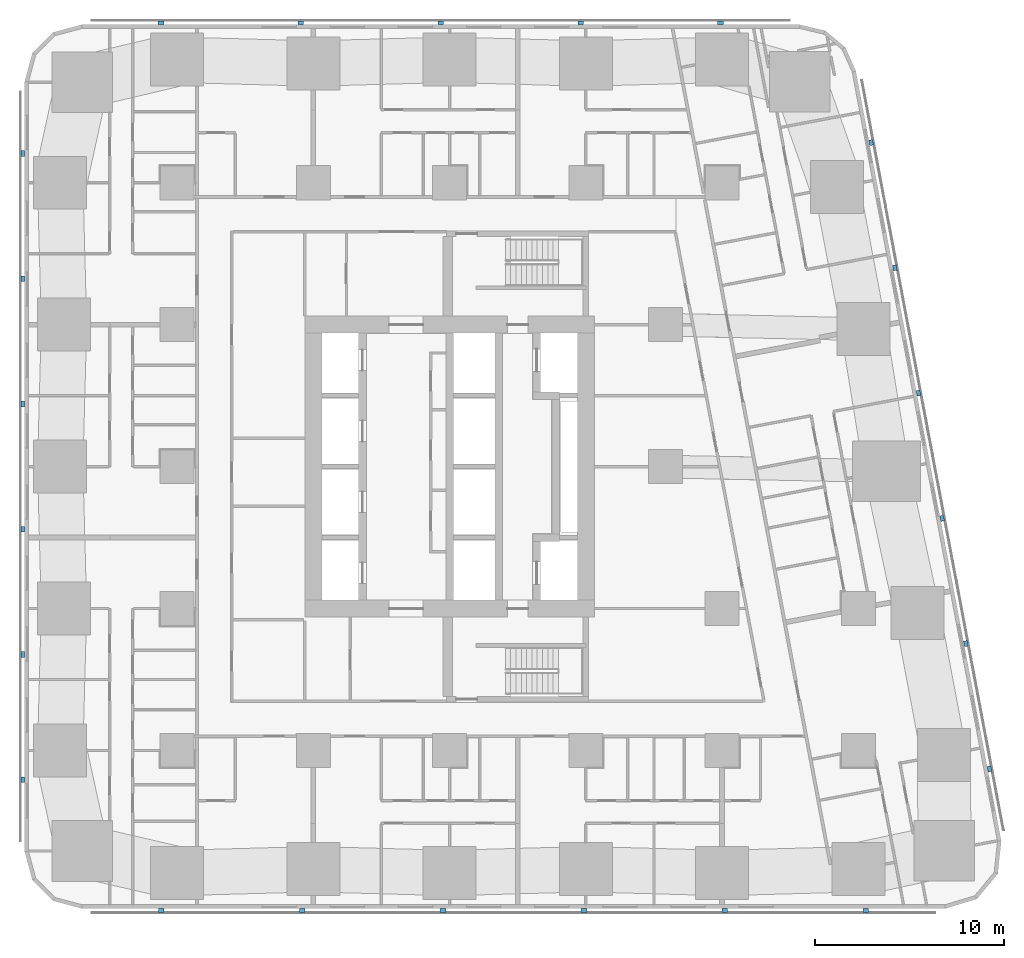
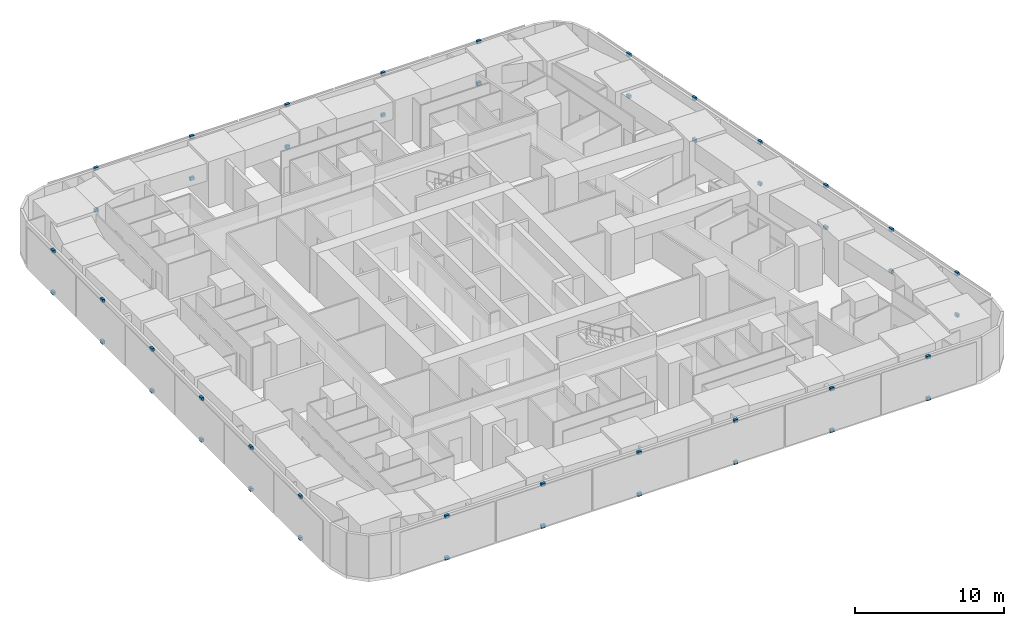
# One storey, part 14 of 18: 46 discrete accessories.
"""IFC4 building model written with IfcOpenShell, lengths in metres."""

from ifc_helpers import new_model, si_unit, direction, frame, origin, origin_2d, place, context, subcontext, project, spatial, rectangle, extrude, material, type_object, element, save


model = new_model("IFC4")

# Units and contexts
model_context = context("Model", 3, precision=1e-05, world=origin(), true_north=direction((0.0, 1.0)))
body_context = subcontext(model_context, "Body", "Model", "MODEL_VIEW")
ifc_project = project(units=[si_unit("LENGTHUNIT", "METRE"), si_unit("AREAUNIT", "SQUARE_METRE"), si_unit("VOLUMEUNIT", "CUBIC_METRE"), si_unit("PLANEANGLEUNIT", "RADIAN"), si_unit("MASSUNIT", "GRAM", prefix="KILO")], contexts=[model_context])

# Site, building, storey
site_placement = place(None, origin())
site = spatial("IfcSite", under=ifc_project, at=site_placement, CompositionType="ELEMENT")
building_placement = place(site_placement, origin())
building = spatial("IfcBuilding", under=site, at=building_placement, Name="Sheger Commons Tower", CompositionType="ELEMENT")
storey_placement = place(building_placement, frame((0.0, 0.0, 38.75)))
storey = spatial("IfcBuildingStorey", under=building, at=storey_placement, Name="L09", CompositionType="ELEMENT", Elevation=38.75)

# Discrete accessories
ifc_material = material(Name="Black painted steel bracket", Category="steel")
discrete_accessory_type = type_object("IfcDiscreteAccessoryType", Name="SCREEN BRACKET 300x200x250", PredefinedType="BRACKET", material=ifc_material)
for number, where, z_axis, x_axis, name in (
    (1, (6.37109375, -0.949951171875, -0.10009765625), (0.0, 0.0, 1.0), (1.0, 0.0, 0.0), "Solar screen foot bracket"),
    (2, (6.37109375, -0.949951171875, 3.300048828125), (0.0, 0.0, 1.0), (1.0, 0.0, 0.0), "Solar screen head bracket"),
    (3, (13.81396484375, -0.949951171875, -0.10009765625), (0.0, 0.0, 1.0), (1.0, 0.0, 0.0), "Solar screen foot bracket"),
    (4, (13.81396484375, -0.949951171875, 3.300048828125), (0.0, 0.0, 1.0), (1.0, 0.0, 0.0), "Solar screen head bracket"),
    (5, (21.257080078125, -0.949951171875, -0.10009765625), (0.0, 0.0, 1.0), (1.0, 0.0, 0.0), "Solar screen foot bracket"),
    (6, (21.257080078125, -0.949951171875, 3.300048828125), (0.0, 0.0, 1.0), (1.0, 0.0, 0.0), "Solar screen head bracket"),
    (7, (28.698974609375, -0.949951171875, -0.10009765625), (0.0, 0.0, 1.0), (1.0, 0.0, 0.0), "Solar screen foot bracket"),
    (8, (28.698974609375, -0.949951171875, 3.300048828125), (0.0, 0.0, 1.0), (1.0, 0.0, 0.0), "Solar screen head bracket"),
    (9, (36.14208984375, -0.949951171875, -0.10009765625), (0.0, 0.0, 1.0), (1.0, 0.0, 0.0), "Solar screen foot bracket"),
    (10, (36.14208984375, -0.949951171875, 3.300048828125), (0.0, 0.0, 1.0), (1.0, 0.0, 0.0), "Solar screen head bracket"),
    (11, (43.5849609375, -0.949951171875, -0.10009765625), (0.0, 0.0, 1.0), (1.0, 0.0, 0.0), "Solar screen foot bracket"),
    (12, (43.5849609375, -0.949951171875, 3.300048828125), (0.0, 0.0, 1.0), (1.0, 0.0, 0.0), "Solar screen head bracket"),
    (13, (50.134033203125, 6.527099609375, -0.10009765625), (0.0, 0.0, 1.0), (-0.185615165645, 0.982622516678, 0.0), "Solar screen foot bracket"),
    (14, (50.134033203125, 6.527099609375, 3.300048828125), (0.0, 0.0, 1.0), (-0.185615165645, 0.982622516678, 0.0), "Solar screen head bracket"),
    (15, (48.884033203125, 13.14599609375, -0.10009765625), (0.0, 0.0, 1.0), (-0.185615165645, 0.982622516678, 0.0), "Solar screen foot bracket"),
    (16, (48.884033203125, 13.14599609375, 3.300048828125), (0.0, 0.0, 1.0), (-0.185615165645, 0.982622516678, 0.0), "Solar screen head bracket"),
    (17, (47.633056640625, 19.76611328125, -0.10009765625), (0.0, 0.0, 1.0), (-0.185615165645, 0.982622516678, 0.0), "Solar screen foot bracket"),
    (18, (47.633056640625, 19.76611328125, 3.300048828125), (0.0, 0.0, 1.0), (-0.185615165645, 0.982622516678, 0.0), "Solar screen head bracket"),
    (19, (46.383056640625, 26.385009765625, -0.10009765625), (0.0, 0.0, 1.0), (-0.185615165645, 0.982622516678, 0.0), "Solar screen foot bracket"),
    (20, (46.383056640625, 26.385009765625, 3.300048828125), (0.0, 0.0, 1.0), (-0.185615165645, 0.982622516678, 0.0), "Solar screen head bracket"),
    (21, (45.133056640625, 33.0048828125, -0.10009765625), (0.0, 0.0, 1.0), (-0.185615165645, 0.982622516678, 0.0), "Solar screen foot bracket"),
    (22, (45.133056640625, 33.0048828125, 3.300048828125), (0.0, 0.0, 1.0), (-0.185615165645, 0.982622516678, 0.0), "Solar screen head bracket"),
    (23, (43.882080078125, 39.6240234375, -0.10009765625), (0.0, 0.0, 1.0), (-0.185615165645, 0.982622516678, 0.0), "Solar screen foot bracket"),
    (24, (43.882080078125, 39.6240234375, 3.300048828125), (0.0, 0.0, 1.0), (-0.185615165645, 0.982622516678, 0.0), "Solar screen head bracket"),
    (25, (35.9208984375, 45.949951171875, -0.10009765625), (0.0, 0.0, 1.0), (-1.0, 0.0, 0.0), "Solar screen foot bracket"),
    (26, (35.9208984375, 45.949951171875, 3.300048828125), (0.0, 0.0, 1.0), (-1.0, 0.0, 0.0), "Solar screen head bracket"),
    (27, (28.528076171875, 45.949951171875, -0.10009765625), (0.0, 0.0, 1.0), (-1.0, 0.0, 0.0), "Solar screen foot bracket"),
    (28, (28.528076171875, 45.949951171875, 3.300048828125), (0.0, 0.0, 1.0), (-1.0, 0.0, 0.0), "Solar screen head bracket"),
    (29, (21.134033203125, 45.949951171875, -0.10009765625), (0.0, 0.0, 1.0), (-1.0, 0.0, 0.0), "Solar screen foot bracket"),
    (30, (21.134033203125, 45.949951171875, 3.300048828125), (0.0, 0.0, 1.0), (-1.0, 0.0, 0.0), "Solar screen head bracket"),
    (31, (13.739990234375, 45.949951171875, -0.10009765625), (0.0, 0.0, 1.0), (-1.0, 0.0, 0.0), "Solar screen foot bracket"),
    (32, (13.739990234375, 45.949951171875, 3.300048828125), (0.0, 0.0, 1.0), (-1.0, 0.0, 0.0), "Solar screen head bracket"),
    (33, (6.346923828125, 45.949951171875, -0.10009765625), (0.0, 0.0, 1.0), (-1.0, 0.0, 0.0), "Solar screen foot bracket"),
    (34, (6.346923828125, 45.949951171875, 3.300048828125), (0.0, 0.0, 1.0), (-1.0, 0.0, 0.0), "Solar screen head bracket"),
    (35, (-0.949951171875, 39.0419921875, -0.10009765625), (0.0, 0.0, 1.0), (0.0, -1.0, 0.0), "Solar screen foot bracket"),
    (36, (-0.949951171875, 39.0419921875, 3.300048828125), (0.0, 0.0, 1.0), (0.0, -1.0, 0.0), "Solar screen head bracket"),
    (37, (-0.949951171875, 32.425048828125, -0.10009765625), (0.0, 0.0, 1.0), (0.0, -1.0, 0.0), "Solar screen foot bracket"),
    (38, (-0.949951171875, 32.425048828125, 3.300048828125), (0.0, 0.0, 1.0), (0.0, -1.0, 0.0), "Solar screen head bracket"),
    (39, (-0.949951171875, 25.80810546875, -0.10009765625), (0.0, 0.0, 1.0), (0.0, -1.0, 0.0), "Solar screen foot bracket"),
    (40, (-0.949951171875, 25.80810546875, 3.300048828125), (0.0, 0.0, 1.0), (0.0, -1.0, 0.0), "Solar screen head bracket"),
    (41, (-0.949951171875, 19.19189453125, -0.10009765625), (0.0, 0.0, 1.0), (0.0, -1.0, 0.0), "Solar screen foot bracket"),
    (42, (-0.949951171875, 19.19189453125, 3.300048828125), (0.0, 0.0, 1.0), (0.0, -1.0, 0.0), "Solar screen head bracket"),
    (43, (-0.949951171875, 12.574951171875, -0.10009765625), (0.0, 0.0, 1.0), (0.0, -1.0, 0.0), "Solar screen foot bracket"),
    (44, (-0.949951171875, 12.574951171875, 3.300048828125), (0.0, 0.0, 1.0), (0.0, -1.0, 0.0), "Solar screen head bracket"),
    (45, (-0.949951171875, 5.9580078125, -0.10009765625), (0.0, 0.0, 1.0), (0.0, -1.0, 0.0), "Solar screen foot bracket"),
    (46, (-0.949951171875, 5.9580078125, 3.300048828125), (0.0, 0.0, 1.0), (0.0, -1.0, 0.0), "Solar screen head bracket"),
):
    element("IfcDiscreteAccessory", number, at=place(storey_placement, frame(where, z_axis=z_axis, x_axis=x_axis)), inside=storey, type_object=discrete_accessory_type, Name=name, PredefinedType="BRACKET", context=body_context, shape_type="SweptSolid", body=[
        extrude(rectangle(XDim=0.300048828125, YDim=0.199951171875, at=origin_2d()), origin(), (0.0, 0.0, 1.0), 0.25),
    ])

save(model, "model.ifc")
